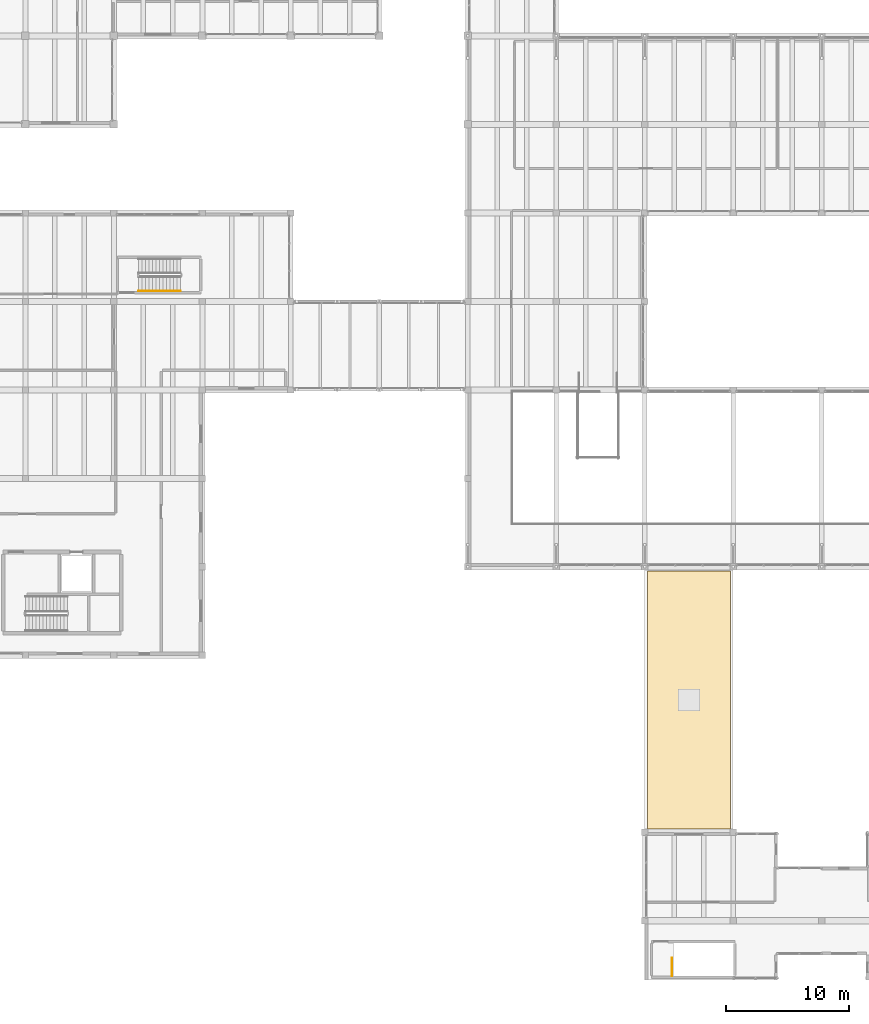
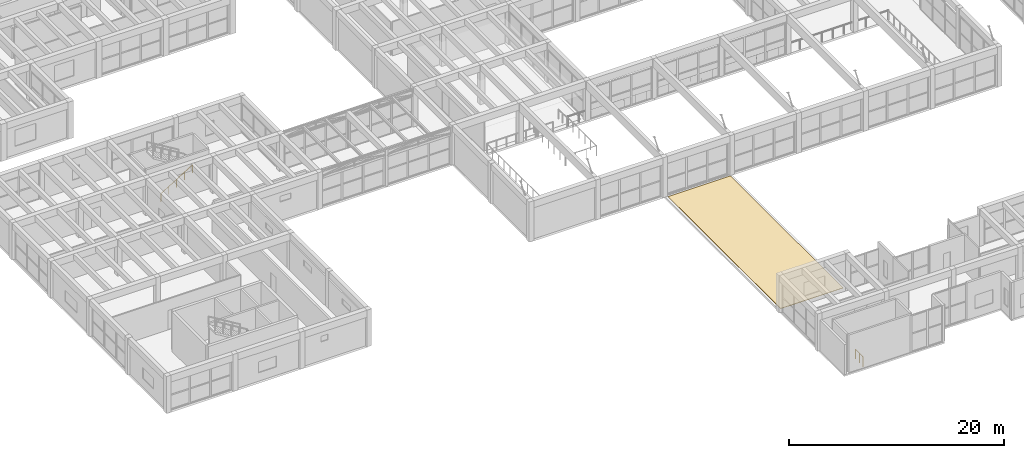
# One storey, part 145 of 153: 2 railings, 1 covering.
"""IFC4 building model written with IfcOpenShell, lengths in metres."""

from ifc_helpers import new_model, si_unit, direction, frame, origin, origin_2d, place, context, subcontext, project, spatial, polyline, circle, outline, extrude, material, layer, layer_set, type_object, element, save


model = new_model("IFC4")

# Units and contexts
model_context = context("Model", 3, precision=1e-05, world=origin(), true_north=direction((0.0, 1.0)))
body_context = subcontext(model_context, "Body", "Model", "MODEL_VIEW")
ifc_project = project(units=[si_unit("LENGTHUNIT", "METRE"), si_unit("AREAUNIT", "SQUARE_METRE"), si_unit("VOLUMEUNIT", "CUBIC_METRE"), si_unit("PLANEANGLEUNIT", "RADIAN"), si_unit("MASSUNIT", "GRAM", prefix="KILO")], contexts=[model_context])

# Site, building, storey
site_placement = place(None, origin())
site = spatial("IfcSite", under=ifc_project, at=site_placement, CompositionType="ELEMENT")
building_placement = place(site_placement, origin())
building = spatial("IfcBuilding", under=site, at=building_placement, Name="Bramvelor Terrace Health Centre", CompositionType="ELEMENT")
storey_placement = place(building_placement, frame((0.0, 0.0, 4.800048828125)))
storey = spatial("IfcBuildingStorey", under=building, at=storey_placement, Name="L02", CompositionType="ELEMENT", Elevation=4.800048828125)

# Covering
ifc_material_1 = material(Name="TPO standing-seam insulated roofing", Category="membrane")
ifc_layer = layer(ifc_material_1, 0.044921875)
ifc_layer_set = layer_set([ifc_layer], Name="TPO standing-seam insulated roofing")
covering_type = type_object("IfcCoveringType", Name="COV-ROOF-MEM", PredefinedType="ROOFING", material=ifc_layer_set)
covering_placement = place(storey_placement, origin())
element("IfcCovering", 1, at=covering_placement, inside=storey, type_object=covering_type, Name="L02 Insulated Roof Membrane 1", PredefinedType="ROOFING", context=body_context, shape_type="SweptSolid", body=[
    extrude(outline(polyline([(64.56005859375, 35.659912109375), (64.56005859375, 14.64990234375), (57.840087890625, 14.64990234375), (57.840087890625, 35.659912109375), (64.56005859375, 35.659912109375)])), origin(), (0.0, 0.0, 1.0), 0.044921875),
])

# Railings
ifc_material_2 = material(Name="Painted galvanized steel", Category="steel")
railing_type_1 = type_object("IfcRailingType", Name="RLG-GD-1100", PredefinedType="GUARDRAIL", material=ifc_material_2)
railing_1_placement = place(storey_placement, frame((59.820068359375, 2.699951171875, 0.0)))
element("IfcRailing", 2, at=railing_1_placement, inside=storey, type_object=railing_type_1, Name="L02 ST-9 top well guard 1", PredefinedType="GUARDRAIL", context=body_context, shape_type="SweptSolid", body=[
    extrude(circle(Radius=0.02392578125, at=origin_2d()), frame((0.0, 0.0, 1.076171875), z_axis=(0.0, 1.0, 0.0), x_axis=(-1.0, 0.0, 0.0)), (0.0, 0.0, 1.0), 1.449951171875),
    extrude(circle(Radius=0.02099609375, at=origin_2d()), origin(), (0.0, 0.0, 1.0), 1.052001953125),
    extrude(circle(Radius=0.02099609375, at=origin_2d()), frame((0.0, 0.72509765625, 0.0)), (0.0, 0.0, 1.0), 1.052001953125),
    extrude(circle(Radius=0.02099609375, at=origin_2d()), frame((0.0, 1.449951171875, 0.0)), (0.0, 0.0, 1.0), 1.052001953125),
])
ifc_material_3 = material(Name="Brushed stainless steel 316", Category="steel")
railing_type_2 = type_object("IfcRailingType", Name="RLG-HR-900", PredefinedType="HANDRAIL", material=ifc_material_3)
railing_2_placement = place(storey_placement, frame((16.419921875, 58.449951171875, 0.173095703125)))
element("IfcRailing", 3, at=railing_2_placement, inside=storey, type_object=railing_type_2, Name="L02 ST-6 stair handrail 1", PredefinedType="HANDRAIL", context=body_context, shape_type="SweptSolid", body=[
    extrude(circle(Radius=0.02392578125, at=origin_2d()), frame((0.0, 0.0, 0.8759765625), z_axis=(0.854745945586, 0.0, 0.519046595696), x_axis=(0.0, 1.0, 0.0)), (0.0, 0.0, 1.0), 4.00146484375),
    extrude(circle(Radius=0.02099609375, at=origin_2d()), origin(), (0.0, 0.0, 1.0), 0.851806640625),
    extrude(circle(Radius=0.02099609375, at=origin_2d()), frame((0.85498046875, 0.0, 0.519287109375)), (0.0, 0.0, 1.0), 0.851806640625),
    extrude(circle(Radius=0.02099609375, at=origin_2d()), frame((1.7099609375, 0.0, 1.03857421875)), (0.0, 0.0, 1.0), 0.851806640625),
    extrude(circle(Radius=0.02099609375, at=origin_2d()), frame((2.565185546875, 0.0, 1.5576171875)), (0.0, 0.0, 1.0), 0.851806640625),
    extrude(circle(Radius=0.02099609375, at=origin_2d()), frame((3.420166015625, 0.0, 2.076904296875)), (0.0, 0.0, 1.0), 0.851806640625),
])

save(model, "model.ifc")
